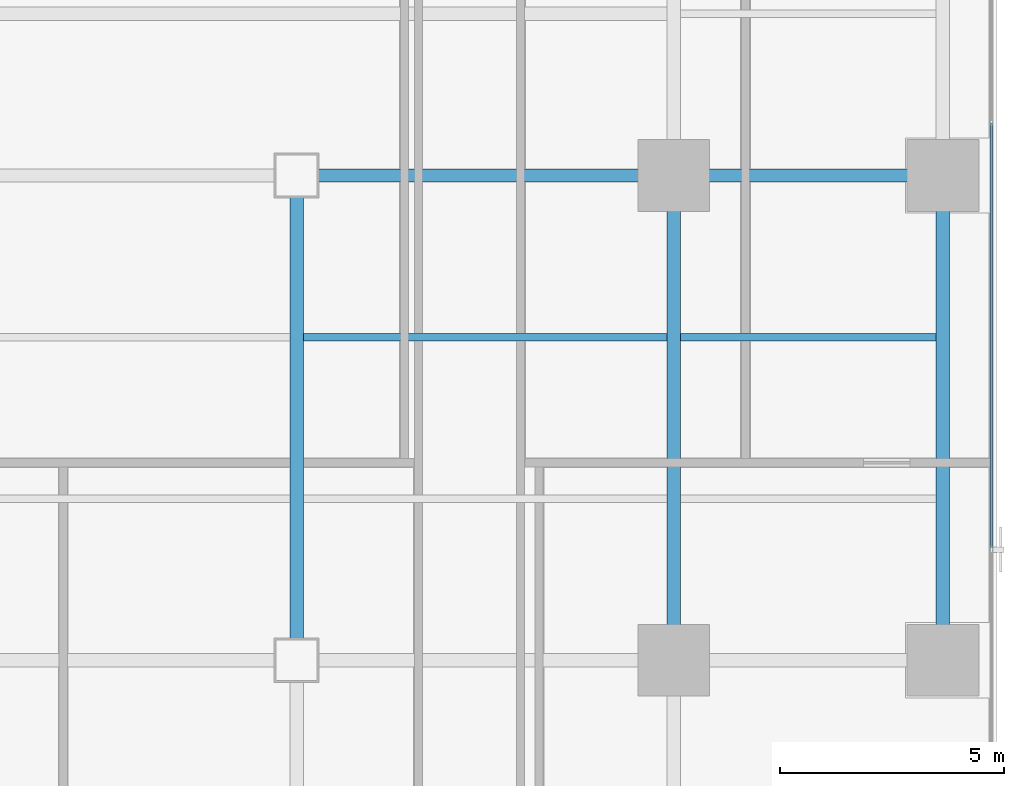
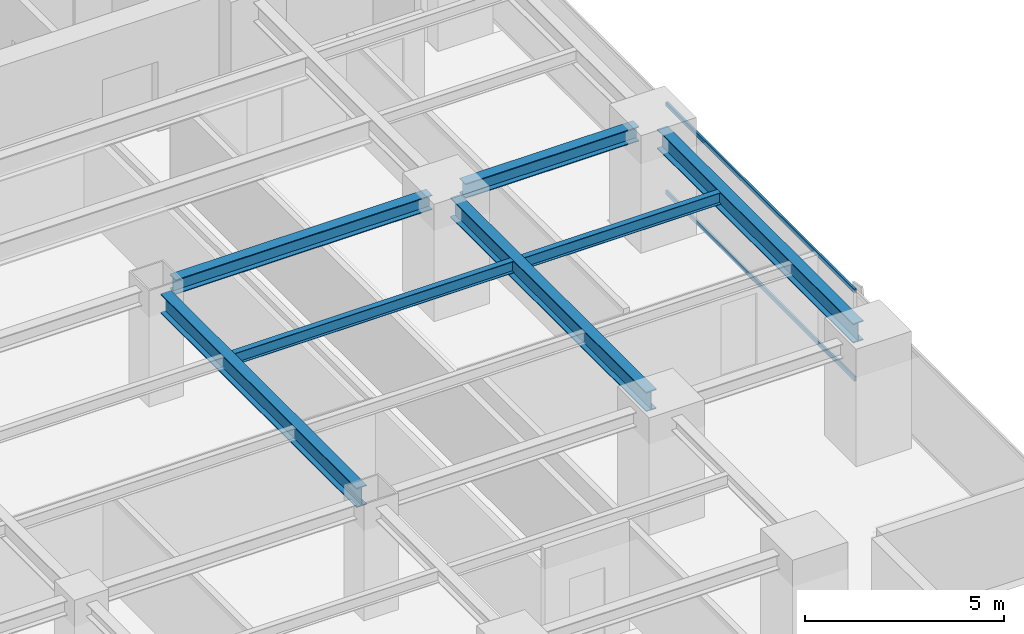
# One storey, part 12 of 28: 7 beams, 2 members, 1 element without a shape of its own.
"""IFC4 building model written with IfcOpenShell, lengths in metres."""

from ifc_helpers import new_model, si_unit, direction, frame, origin, origin_2d, place, context, subcontext, project, spatial, hollow_rectangle, i_section, extrude, source, transform, mapped, material, layer, layer_set, material_profile, profile_set, type_object, element, aggregate, save


model = new_model("IFC4")

# Units and contexts
model_context = context("Model", 3, precision=1e-05, world=origin(), true_north=direction((0.0, 1.0)))
body_context = subcontext(model_context, "Body", "Model", "MODEL_VIEW")
ifc_project = project(units=[si_unit("LENGTHUNIT", "METRE"), si_unit("AREAUNIT", "SQUARE_METRE"), si_unit("VOLUMEUNIT", "CUBIC_METRE"), si_unit("PLANEANGLEUNIT", "RADIAN"), si_unit("MASSUNIT", "GRAM", prefix="KILO")], contexts=[model_context])

# Site, building, storey
site_placement = place(None, origin())
site = spatial("IfcSite", under=ifc_project, at=site_placement, CompositionType="ELEMENT")
building_placement = place(site_placement, origin())
building = spatial("IfcBuilding", under=site, at=building_placement, Name="Sumidabori Civic Tower", CompositionType="ELEMENT")
storey_placement = place(building_placement, frame((0.0, 0.0, 167.60009765625)))
storey = spatial("IfcBuildingStorey", under=building, at=storey_placement, Name="L43", CompositionType="ELEMENT", Elevation=167.60009765625)

# Beams
ifc_material_1 = material(Name="Steel SN490", Category="steel")
ifc_material_profile_1 = material_profile(ifc_material_1, i_section(OverallWidth=0.300048828125, OverallDepth=0.60009765625, WebThickness=0.015380859375, FlangeThickness=0.030029296875, at=origin_2d()), Name="HE 600 B")
ifc_profile_set_1 = profile_set([ifc_material_profile_1], Name="Steel SN490")
beam_type_1 = type_object("IfcBeamType", Name="BM-GIRD-600", PredefinedType="BEAM", material=ifc_profile_set_1)
shared_shape_1 = source(origin(), body_context, "Body", "SweptSolid", [
    extrude(i_section(OverallWidth=0.300048828125, OverallDepth=0.60009765625, WebThickness=0.015380859375, FlangeThickness=0.030029296875, at=origin_2d()), origin(), (0.0, 0.0, 1.0), 9.840087890625),
])
for number, where, z_axis, x_axis, name in (
    (1, (8.39990234375, -10.320068359375, 3.079833984375), (0.0, 1.0, 0.0), (-1.0, 0.0, 0.0), "Primary Girder L43 GY-31"),
    (2, (16.800048828125, -10.320068359375, 3.079833984375), (0.0, 1.0, 0.0), (-1.0, 0.0, 0.0), "Primary Girder L43 GY-33"),
    (3, (22.800048828125, -10.320068359375, 3.079833984375), (0.0, 1.0, 0.0), (-1.0, 0.0, 0.0), "Primary Girder L43 GY-36"),
):
    element("IfcBeam", number, at=place(storey_placement, frame(where, z_axis=z_axis, x_axis=x_axis)), inside=storey, type_object=beam_type_1, Name=name, PredefinedType="BEAM", context=body_context, shape_type="MappedRepresentation", body=[
        mapped(shared_shape_1, transform((0.0, 0.0, 0.0), x_axis=(1.0, 0.0, 0.0), y_axis=(0.0, 1.0, 0.0), z_axis=(0.0, 0.0, 1.0), scale=1.0)),
    ])
ifc_material_profile_2 = material_profile(ifc_material_1, i_section(OverallWidth=0.169921875, OverallDepth=0.360107421875, WebThickness=0.008056640625, FlangeThickness=0.0126953125, at=origin_2d()), Name="IPE 360")
ifc_profile_set_2 = profile_set([ifc_material_profile_2], Name="Steel SN490")
beam_type_2 = type_object("IfcBeamType", Name="BM-JST-360", PredefinedType="JOIST", material=ifc_profile_set_2)
shared_shape_2 = source(origin(), body_context, "Body", "SweptSolid", [
    extrude(i_section(OverallWidth=0.169921875, OverallDepth=0.360107421875, WebThickness=0.008056640625, FlangeThickness=0.0126953125, at=origin_2d()), origin(), (0.0, 0.0, 1.0), 5.699951171875),
])
beam_1_placement = place(storey_placement, frame((16.949951171875, -3.60009765625, 3.199951171875), z_axis=(1.0, 0.0, 0.0), x_axis=(0.0, 1.0, 0.0)))
element("IfcBeam", 4, at=beam_1_placement, inside=storey, type_object=beam_type_2, Name="Outer Bay Floor Joist L43 JSTO-42", PredefinedType="JOIST", context=body_context, shape_type="MappedRepresentation", body=[
    mapped(shared_shape_2, transform((0.0, 0.0, 0.0), x_axis=(1.0, 0.0, 0.0), y_axis=(0.0, 1.0, 0.0), z_axis=(0.0, 0.0, 1.0), scale=1.0)),
])
shared_shape_3 = source(origin(), body_context, "Body", "SweptSolid", [
    extrude(i_section(OverallWidth=0.169921875, OverallDepth=0.360107421875, WebThickness=0.008056640625, FlangeThickness=0.0126953125, at=origin_2d()), origin(), (0.0, 0.0, 1.0), 8.099853515625),
])
beam_2_placement = place(storey_placement, frame((8.550048828125, -3.60009765625, 3.199951171875), z_axis=(1.0, 0.0, 0.0), x_axis=(0.0, 1.0, 0.0)))
element("IfcBeam", 5, at=beam_2_placement, inside=storey, type_object=beam_type_2, Name="South Bay Floor Joist L43 JSTS-60", PredefinedType="JOIST", context=body_context, shape_type="MappedRepresentation", body=[
    mapped(shared_shape_3, transform((0.0, 0.0, 0.0), x_axis=(1.0, 0.0, 0.0), y_axis=(0.0, 1.0, 0.0), z_axis=(0.0, 0.0, 1.0), scale=1.0)),
])
ifc_material_profile_3 = material_profile(ifc_material_1, i_section(OverallWidth=0.300048828125, OverallDepth=0.449951171875, WebThickness=0.013916015625, FlangeThickness=0.02587890625, at=origin_2d()), Name="HE 450 B")
ifc_profile_set_3 = profile_set([ifc_material_profile_3], Name="Steel SN490")
beam_type_3 = type_object("IfcBeamType", Name="BM-GIRD-450", PredefinedType="BEAM", material=ifc_profile_set_3)
shared_shape_4 = source(origin(), body_context, "Body", "SweptSolid", [
    extrude(i_section(OverallWidth=0.300048828125, OverallDepth=0.449951171875, WebThickness=0.013916015625, FlangeThickness=0.02587890625, at=origin_2d()), origin(), (0.0, 0.0, 1.0), 7.440185546875),
])
beam_3_placement = place(storey_placement, frame((8.8798828125, 0.0, 3.15478515625), z_axis=(1.0, 0.0, 0.0), x_axis=(0.0, 1.0, 0.0)))
element("IfcBeam", 6, at=beam_3_placement, inside=storey, type_object=beam_type_3, Name="Primary Girder L43 GX-15", PredefinedType="BEAM", context=body_context, shape_type="MappedRepresentation", body=[
    mapped(shared_shape_4, transform((0.0, 0.0, 0.0), x_axis=(1.0, 0.0, 0.0), y_axis=(0.0, 1.0, 0.0), z_axis=(0.0, 0.0, 1.0), scale=1.0)),
])
shared_shape_5 = source(origin(), body_context, "Body", "SweptSolid", [
    extrude(i_section(OverallWidth=0.300048828125, OverallDepth=0.449951171875, WebThickness=0.013916015625, FlangeThickness=0.02587890625, at=origin_2d()), origin(), (0.0, 0.0, 1.0), 5.0400390625),
])
beam_4_placement = place(storey_placement, frame((17.280029296875, 0.0, 3.15478515625), z_axis=(1.0, 0.0, 0.0), x_axis=(0.0, 1.0, 0.0)))
element("IfcBeam", 7, at=beam_4_placement, inside=storey, type_object=beam_type_3, Name="Primary Girder L43 GX-16", PredefinedType="BEAM", context=body_context, shape_type="MappedRepresentation", body=[
    mapped(shared_shape_5, transform((0.0, 0.0, 0.0), x_axis=(1.0, 0.0, 0.0), y_axis=(0.0, 1.0, 0.0), z_axis=(0.0, 0.0, 1.0), scale=1.0)),
])

# Curtain wall, members
ifc_material_2 = material(Name="Anodised Bronze Aluminium AW-6063-T6", Category="aluminium")
ifc_layer = layer(ifc_material_2, 0.179931640625, Name="Anodised Bronze Aluminium AW-6063-T6")
ifc_layer_set = layer_set([ifc_layer], Name="Anodised Bronze Aluminium AW-6063-T6")
curtain_wall_type = type_object("IfcCurtainWallType", Name="CW-SYS-3", PredefinedType="NOTDEFINED", material=ifc_layer_set)
curtain_wall_placement = place(storey_placement, origin())
curtain_wall = element("IfcCurtainWall", 8, at=curtain_wall_placement, inside=storey, type_object=curtain_wall_type, Name="Curtain Wall CW:L43:R04", PredefinedType="NOTDEFINED")
ifc_material_profile_4 = material_profile(ifc_material_2, hollow_rectangle(XDim=0.06005859375, YDim=0.1298828125, WallThickness=0.0048828125, at=origin_2d()), Name="ALU TRANSOM 130x60")
ifc_profile_set_4 = profile_set([ifc_material_profile_4], Name="Anodised Bronze Aluminium AW-6063-T6")
member_type = type_object("IfcMemberType", Name="CW-TRN-130", PredefinedType="USERDEFINED", material=ifc_profile_set_4)
shared_shape_6 = source(origin(), body_context, "Body", "SweptSolid", [
    extrude(hollow_rectangle(XDim=0.06005859375, YDim=0.1298828125, WallThickness=0.0048828125, at=origin_2d()), origin(), (0.0, 0.0, 1.0), 9.469970703125),
])
member_1_placement = place(storey_placement, frame((23.8798828125, -8.302490234375, 0.02978515625), z_axis=(0.0, 1.0, 0.0), x_axis=(-1.0, 0.0, 0.0)))
member_1 = element("IfcMember", 9, at=member_1_placement, type_object=member_type, Name="CW-3 transom 2.1", ObjectType="TRANSOM", PredefinedType="USERDEFINED", context=body_context, shape_type="MappedRepresentation", body=[
    mapped(shared_shape_6, transform((0.0, 0.0, 0.0), x_axis=(1.0, 0.0, 0.0), y_axis=(0.0, 1.0, 0.0), z_axis=(0.0, 0.0, 1.0), scale=1.0)),
])
member_2_placement = place(storey_placement, frame((23.8798828125, -8.302490234375, 2.72998046875), z_axis=(0.0, 1.0, 0.0), x_axis=(-1.0, 0.0, 0.0)))
member_2 = element("IfcMember", 10, at=member_2_placement, type_object=member_type, Name="CW-3 transom 2.2", ObjectType="TRANSOM", PredefinedType="USERDEFINED", context=body_context, shape_type="MappedRepresentation", body=[
    mapped(shared_shape_6, transform((0.0, 0.0, 0.0), x_axis=(1.0, 0.0, 0.0), y_axis=(0.0, 1.0, 0.0), z_axis=(0.0, 0.0, 1.0), scale=1.0)),
])
aggregate(curtain_wall, [member_1, member_2])

save(model, "model.ifc")
